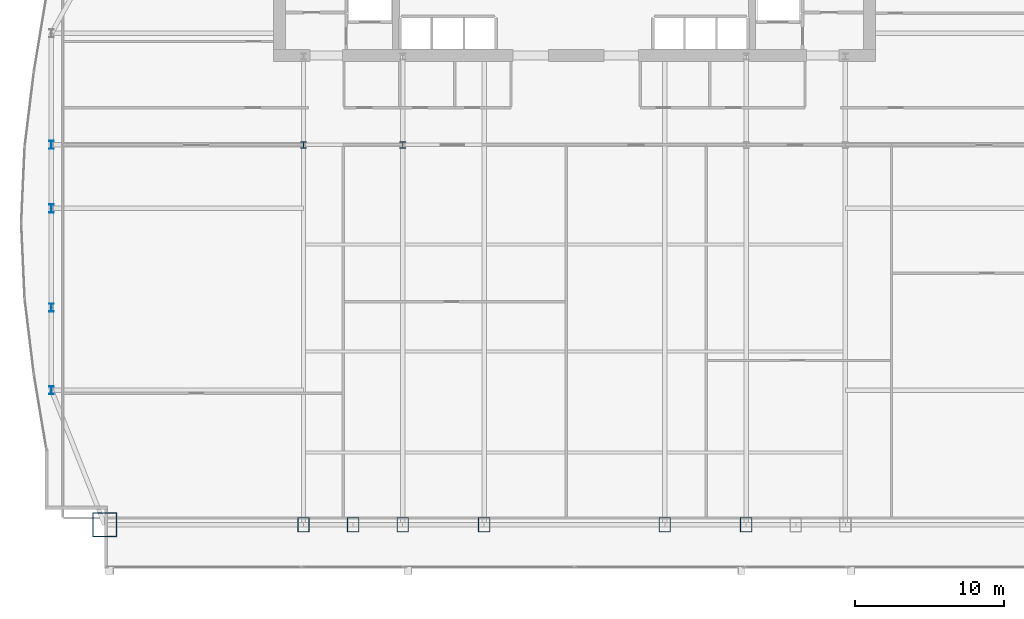
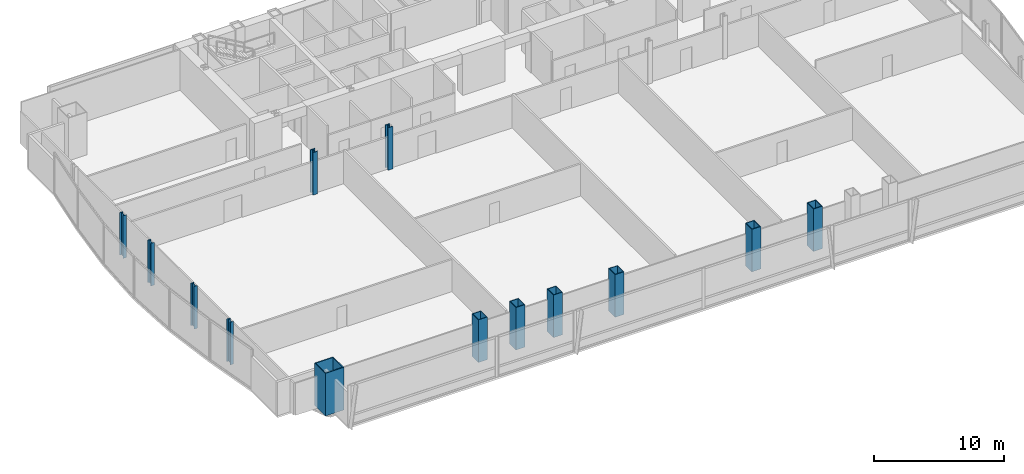
# One storey, part 1 of 32: 13 columns.
"""IFC4 building model written with IfcOpenShell, lengths in metres."""

from ifc_helpers import new_model, si_unit, direction, frame, origin, origin_2d, place, context, subcontext, project, spatial, hollow_rectangle, i_section, extrude, material, material_profile, profile_set, type_object, element, save


model = new_model("IFC4")

# Units and contexts
model_context = context("Model", 3, precision=1e-05, world=origin(), true_north=direction((0.0, 1.0)))
body_context = subcontext(model_context, "Body", "Model", "MODEL_VIEW")
ifc_project = project(units=[si_unit("LENGTHUNIT", "METRE"), si_unit("AREAUNIT", "SQUARE_METRE"), si_unit("VOLUMEUNIT", "CUBIC_METRE"), si_unit("PLANEANGLEUNIT", "RADIAN"), si_unit("MASSUNIT", "GRAM", prefix="KILO")], contexts=[model_context])

# Site, building, storey
site_placement = place(None, origin())
site = spatial("IfcSite", under=ifc_project, at=site_placement, CompositionType="ELEMENT")
building_placement = place(site_placement, origin())
building = spatial("IfcBuilding", under=site, at=building_placement, Name="Khoronbel Lancet Exchange", CompositionType="ELEMENT")
storey_placement = place(building_placement, frame((0.0, 0.0, 41.800048828125)))
storey = spatial("IfcBuildingStorey", under=building, at=storey_placement, Name="L09", CompositionType="ELEMENT", Elevation=41.800048828125)

# Columns
ifc_material_1 = material(Name="Steel S460", Category="steel")
ifc_material_profile_1 = material_profile(ifc_material_1, hollow_rectangle(XDim=0.800048828125, YDim=1.0, WallThickness=0.054931640625, at=origin_2d()), Name="BOX 1000x800x55")
ifc_profile_set_1 = profile_set([ifc_material_profile_1], Name="Steel S460")
column_type_1 = type_object("IfcColumnType", Name="COL-EC1", PredefinedType="COLUMN", material=ifc_profile_set_1)
for number, where, z_axis, x_axis, name in (
    (1, (18.22509765625, 10.14990234375, 0.0), (0.0, 0.0, 1.0), (1.0, 0.0, 0.0), "Structural column SC-W1 L09"),
    (2, (21.5625, 10.14990234375, 0.0), (0.0, 0.0, 1.0), (1.0, 0.0, 0.0), "Structural column SC-WM L09"),
    (3, (24.89990234375, 10.14990234375, 0.0), (0.0, 0.0, 1.0), (1.0, 0.0, 0.0), "Structural column SC-W2 L09"),
    (4, (30.375, 10.14990234375, 0.0), (0.0, 0.0, 1.0), (1.0, 0.0, 0.0), "Structural column SC-C1 L09"),
    (5, (42.52490234375, 10.14990234375, 0.0), (0.0, 0.0, 1.0), (1.0, 0.0, 0.0), "Structural column SC-C2 L09"),
    (6, (48.0, 10.14990234375, 0.0), (0.0, 0.0, 1.0), (1.0, 0.0, 0.0), "Structural column SC-E1 L09"),
):
    element("IfcColumn", number, at=place(storey_placement, frame(where, z_axis=z_axis, x_axis=x_axis)), inside=storey, type_object=column_type_1, Name=name, PredefinedType="COLUMN", context=body_context, shape_type="SweptSolid", body=[
        extrude(hollow_rectangle(XDim=0.800048828125, YDim=1.0, WallThickness=0.054931640625, at=origin_2d()), origin(), (0.0, 0.0, 1.0), 4.0),
    ])
ifc_material_profile_2 = material_profile(ifc_material_1, i_section(OverallWidth=0.424072265625, OverallDepth=0.47412109375, WebThickness=0.047607421875, FlangeThickness=0.076904296875, at=origin_2d()), Name="HD 400x634")
ifc_profile_set_2 = profile_set([ifc_material_profile_2], Name="Steel S460")
column_type_2 = type_object("IfcColumnType", Name="COL-IC1", PredefinedType="COLUMN", material=ifc_profile_set_2)
for number, where, z_axis, x_axis, name in (
    (7, (18.22509765625, 35.699951171875, 0.0), (0.0, 0.0, 1.0), (1.0, 0.0, 0.0), "Spine gravity column TC1 L09"),
    (8, (24.89990234375, 35.699951171875, 0.0), (0.0, 0.0, 1.0), (1.0, 0.0, 0.0), "Spine gravity column TC2 L09"),
):
    element("IfcColumn", number, at=place(storey_placement, frame(where, z_axis=z_axis, x_axis=x_axis)), inside=storey, type_object=column_type_2, Name=name, PredefinedType="COLUMN", context=body_context, shape_type="SweptSolid", body=[
        extrude(i_section(OverallWidth=0.424072265625, OverallDepth=0.47412109375, WebThickness=0.047607421875, FlangeThickness=0.076904296875, at=origin_2d()), origin(), (0.0, 0.0, 1.0), 4.0),
    ])
ifc_material_2 = material(Name="Steel S355", Category="steel")
ifc_material_profile_3 = material_profile(ifc_material_2, i_section(OverallWidth=0.300048828125, OverallDepth=0.550048828125, WebThickness=0.014892578125, FlangeThickness=0.029052734375, at=origin_2d()), Name="HEB 550")
ifc_profile_set_3 = profile_set([ifc_material_profile_3], Name="Steel S355")
column_type_3 = type_object("IfcColumnType", Name="COL-LC1", PredefinedType="COLUMN", material=ifc_profile_set_3)
for number, where, z_axis, x_axis, name in (
    (9, (1.27001953125, 19.199951171875, 0.0), (0.0, 0.0, 1.0), (1.0, 0.0, 0.0), "Structural column WC-1 L09"),
    (10, (1.27001953125, 24.75, 0.0), (0.0, 0.0, 1.0), (1.0, 0.0, 0.0), "Structural column WC-2 L09"),
    (11, (1.27001953125, 31.425048828125, 0.0), (0.0, 0.0, 1.0), (1.0, 0.0, 0.0), "Structural column WC-M L09"),
    (12, (1.27001953125, 35.699951171875, 0.0), (0.0, 0.0, 1.0), (1.0, 0.0, 0.0), "Structural column WC-3 L09"),
):
    element("IfcColumn", number, at=place(storey_placement, frame(where, z_axis=z_axis, x_axis=x_axis)), inside=storey, type_object=column_type_3, Name=name, PredefinedType="COLUMN", context=body_context, shape_type="SweptSolid", body=[
        extrude(i_section(OverallWidth=0.300048828125, OverallDepth=0.550048828125, WebThickness=0.014892578125, FlangeThickness=0.029052734375, at=origin_2d()), origin(), (0.0, 0.0, 1.0), 4.0),
    ])
ifc_material_profile_4 = material_profile(ifc_material_1, hollow_rectangle(XDim=1.64990234375, YDim=1.64990234375, WallThickness=0.074951171875, at=origin_2d()), Name="BOX 1650x1650x75")
ifc_profile_set_4 = profile_set([ifc_material_profile_4], Name="Steel S460")
column_type_4 = type_object("IfcColumnType", Name="COL-MC2", PredefinedType="COLUMN", material=ifc_profile_set_4)
column_placement = place(storey_placement, frame((4.85009765625, 10.14990234375, 0.0), z_axis=(0.0, 0.0, 1.0), x_axis=(1.0, 0.0, 0.0)))
element("IfcColumn", 13, at=column_placement, inside=storey, type_object=column_type_4, Name="Structural column MC-SW L09", PredefinedType="COLUMN", context=body_context, shape_type="SweptSolid", body=[
    extrude(hollow_rectangle(XDim=1.64990234375, YDim=1.64990234375, WallThickness=0.074951171875, at=origin_2d()), origin(), (0.0, 0.0, 1.0), 4.0),
])

save(model, "model.ifc")
